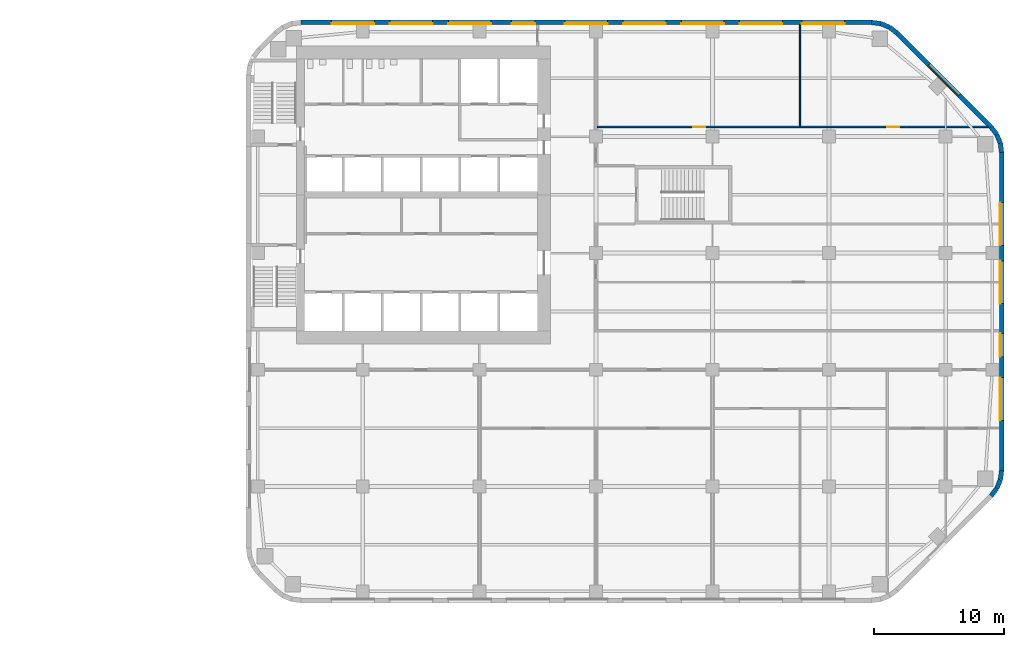
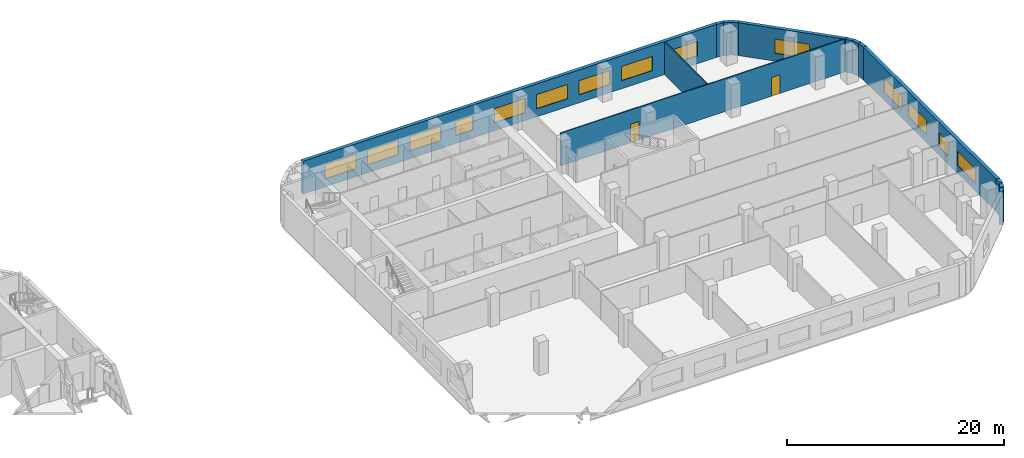
# One storey, part 12 of 16: 14 walls, 14 windows, 2 doors, 16 openings.
"""IFC4 building model written with IfcOpenShell, lengths in metres."""

from ifc_helpers import new_model, si_unit, direction, frame, frame_2d, origin, place, context, subcontext, project, spatial, rectangle, extrude, material, layer, layer_set, type_object, element, fill, save


model = new_model("IFC4")

# Units and contexts
model_context = context("Model", 3, precision=1e-05, world=origin(), true_north=direction((0.0, 1.0)))
body_context = subcontext(model_context, "Body", "Model", "MODEL_VIEW")
ifc_project = project(units=[si_unit("LENGTHUNIT", "METRE"), si_unit("AREAUNIT", "SQUARE_METRE"), si_unit("VOLUMEUNIT", "CUBIC_METRE"), si_unit("PLANEANGLEUNIT", "RADIAN"), si_unit("MASSUNIT", "GRAM", prefix="KILO")], contexts=[model_context])

# Site, building, storey
site_placement = place(None, origin())
site = spatial("IfcSite", under=ifc_project, at=site_placement, CompositionType="ELEMENT")
building_placement = place(site_placement, origin())
building = spatial("IfcBuilding", under=site, at=building_placement, Name="Cinnabar Reach Civic Tower", CompositionType="ELEMENT")
storey_placement = place(building_placement, frame((0.0, 0.0, 42.0)))
storey = spatial("IfcBuildingStorey", under=building, at=storey_placement, Name="L09", CompositionType="ELEMENT", Elevation=42.0)

# Walls
ifc_material_1 = material(Name="Facing brick with insulated backing", Category="masonry")
ifc_layer_1 = layer(ifc_material_1, 0.36)
ifc_layer_set_1 = layer_set([ifc_layer_1], Name="Brick corner wall")
wall_type_1 = type_object("IfcWallType", Name="Brick corner wall", PredefinedType="STANDARD", material=ifc_layer_set_1)
wall_1_placement = place(storey_placement, frame((57.4998, 8.2587, 0.0), z_axis=(0.0, 0.0, 1.0), x_axis=(0.608802368033, 0.793321924995, 0.0)))
element("IfcWall", 1, at=wall_1_placement, inside=storey, type_object=wall_type_1, Name="Brick corner wall", PredefinedType="STANDARD", context=body_context, shape_type="SweptSolid", body=[
    extrude(rectangle(XDim=0.7132, YDim=0.36, at=frame_2d((0.3566, 0.0))), origin(), (0.0, 0.0, 1.0), 3.7),
])
for number, where, z_axis, x_axis, name in (
    (2, (57.9452, 8.8439, 0.0), (0.0, 0.0, 1.0), (0.382702709855, 0.923871547278, 0.0), "Brick corner wall"),
    (3, (58.2239, 9.5244, 0.0), (0.0, 0.0, 1.0), (0.13055608231, 0.99144092581, 0.0), "Brick corner wall"),
    (4, (58.317, 34.7686, 0.0), (0.0, 0.0, 1.0), (-0.13055608231, 0.99144092581, 0.0), "Brick corner wall"),
    (5, (58.2181, 35.4973, 0.0), (0.0, 0.0, 1.0), (-0.382702709855, 0.923871547278, 0.0), "Brick corner wall"),
):
    element("IfcWall", number, at=place(storey_placement, frame(where, z_axis=z_axis, x_axis=x_axis)), inside=storey, type_object=wall_type_1, Name=name, PredefinedType="STANDARD", context=body_context, shape_type="SweptSolid", body=[
        extrude(rectangle(XDim=0.7131, YDim=0.36, at=frame_2d((0.3565, 0.0))), origin(), (0.0, 0.0, 1.0), 3.7),
    ])
for number, where, z_axis, x_axis, name in (
    (6, (57.934, 36.1755, 0.0), (0.0, 0.0, 1.0), (-0.608802368033, 0.793321924995, 0.0), "Brick corner wall"),
    (7, (50.2413, 43.9998, 0.0), (0.0, 0.0, 1.0), (-0.793321924995, 0.608802368033, 0.0), "Brick corner wall"),
):
    element("IfcWall", number, at=place(storey_placement, frame(where, z_axis=z_axis, x_axis=x_axis)), inside=storey, type_object=wall_type_1, Name=name, PredefinedType="STANDARD", context=body_context, shape_type="SweptSolid", body=[
        extrude(rectangle(XDim=0.7132, YDim=0.36, at=frame_2d((0.3566, 0.0))), origin(), (0.0, 0.0, 1.0), 3.7),
    ])
for number, where, z_axis, x_axis, name in (
    (8, (49.6561, 44.4452, 0.0), (0.0, 0.0, 1.0), (-0.923871547278, 0.382702709855, 0.0), "Brick corner wall"),
    (9, (48.9756, 44.7239, 0.0), (0.0, 0.0, 1.0), (-0.99144092581, 0.13055608231, 0.0), "Brick corner wall"),
):
    element("IfcWall", number, at=place(storey_placement, frame(where, z_axis=z_axis, x_axis=x_axis)), inside=storey, type_object=wall_type_1, Name=name, PredefinedType="STANDARD", context=body_context, shape_type="SweptSolid", body=[
        extrude(rectangle(XDim=0.7131, YDim=0.36, at=frame_2d((0.3565, 0.0))), origin(), (0.0, 0.0, 1.0), 3.7),
    ])

# Wall, openings, windows
ifc_layer_2 = layer(ifc_material_1, 0.36)
ifc_layer_set_2 = layer_set([ifc_layer_2], Name="Brick pier and spandrel wall")
wall_type_2 = type_object("IfcWallType", Name="Brick pier and spandrel wall", PredefinedType="STANDARD", material=ifc_layer_set_2)
wall_2_placement = place(storey_placement, frame((58.32, 10.2426, 0.0), z_axis=(0.0, 0.0, 1.0), x_axis=(0.0, 1.0, 0.0)))
wall_2 = element("IfcWall", 10, at=wall_2_placement, inside=storey, type_object=wall_type_2, Name="Brick facade wall", PredefinedType="STANDARD", context=body_context, shape_type="SweptSolid", body=[
    extrude(rectangle(XDim=24.5148, YDim=0.36, at=frame_2d((12.2574, 0.0))), origin(), (0.0, 0.0, 1.0), 3.7),
])
opening_1_placement = place(wall_2_placement, frame((3.8574, 0.0, 0.9)))
opening_1 = element("IfcOpeningElement", 11, at=opening_1_placement, cuts=wall_2, Name="Opening W1115", PredefinedType="OPENING", context=body_context, shape_type="SweptSolid", body=[
    extrude(rectangle(XDim=3.3, YDim=1.6, at=frame_2d((1.65, 0.8))), frame((0.0, 0.19, 0.0), z_axis=(0.0, -1.0, 0.0), x_axis=(1.0, 0.0, 0.0)), (0.0, 0.0, 1.0), 0.38),
])
opening_2_placement = place(wall_2_placement, frame((8.7574, 0.0, 0.9)))
opening_2 = element("IfcOpeningElement", 12, at=opening_2_placement, cuts=wall_2, Name="Opening W1116", PredefinedType="OPENING", context=body_context, shape_type="SweptSolid", body=[
    extrude(rectangle(XDim=1.8, YDim=1.6, at=frame_2d((0.9, 0.8))), frame((0.0, 0.19, 0.0), z_axis=(0.0, -1.0, 0.0), x_axis=(1.0, 0.0, 0.0)), (0.0, 0.0, 1.0), 0.38),
])
opening_3_placement = place(wall_2_placement, frame((12.8574, 0.0, 0.9)))
opening_3 = element("IfcOpeningElement", 13, at=opening_3_placement, cuts=wall_2, Name="Opening W1117", PredefinedType="OPENING", context=body_context, shape_type="SweptSolid", body=[
    extrude(rectangle(XDim=3.3, YDim=1.6, at=frame_2d((1.65, 0.8))), frame((0.0, 0.19, 0.0), z_axis=(0.0, -1.0, 0.0), x_axis=(1.0, 0.0, 0.0)), (0.0, 0.0, 1.0), 0.38),
])
opening_4_placement = place(wall_2_placement, frame((17.3574, 0.0, 0.9)))
opening_4 = element("IfcOpeningElement", 14, at=opening_4_placement, cuts=wall_2, Name="Opening W1118", PredefinedType="OPENING", context=body_context, shape_type="SweptSolid", body=[
    extrude(rectangle(XDim=3.3, YDim=1.6, at=frame_2d((1.65, 0.8))), frame((0.0, 0.19, 0.0), z_axis=(0.0, -1.0, 0.0), x_axis=(1.0, 0.0, 0.0)), (0.0, 0.0, 1.0), 0.38),
])
ifc_material_2 = material(Name="Clear double glazing in aluminium frame", Category="aluminium")
window_type_1 = type_object("IfcWindowType", Name="Deep-set window A", PartitioningType="SINGLE_PANEL", PredefinedType="WINDOW", material=ifc_material_2)
window_1_placement = place(opening_1_placement, origin())
window_1 = element("IfcWindow", 15, at=window_1_placement, inside=storey, type_object=window_type_1, Name="Window east face", OverallHeight=1.6, OverallWidth=3.3, PartitioningType="SINGLE_PANEL", PredefinedType="WINDOW", context=body_context, shape_type="SweptSolid", body=[
    extrude(rectangle(XDim=3.3, YDim=1.6, at=frame_2d((1.65, 0.8))), frame((0.0, 0.13, 0.0), z_axis=(0.0, -1.0, 0.0), x_axis=(1.0, 0.0, 0.0)), (0.0, 0.0, 1.0), 0.06),
])
fill(opening_1, window_1)
window_2_placement = place(opening_3_placement, origin())
window_2 = element("IfcWindow", 16, at=window_2_placement, inside=storey, type_object=window_type_1, Name="Window east face", OverallHeight=1.6, OverallWidth=3.3, PartitioningType="SINGLE_PANEL", PredefinedType="WINDOW", context=body_context, shape_type="SweptSolid", body=[
    extrude(rectangle(XDim=3.3, YDim=1.6, at=frame_2d((1.65, 0.8))), frame((0.0, 0.13, 0.0), z_axis=(0.0, -1.0, 0.0), x_axis=(1.0, 0.0, 0.0)), (0.0, 0.0, 1.0), 0.06),
])
fill(opening_3, window_2)
window_3_placement = place(opening_4_placement, origin())
window_3 = element("IfcWindow", 17, at=window_3_placement, inside=storey, type_object=window_type_1, Name="Window east face", OverallHeight=1.6, OverallWidth=3.3, PartitioningType="SINGLE_PANEL", PredefinedType="WINDOW", context=body_context, shape_type="SweptSolid", body=[
    extrude(rectangle(XDim=3.3, YDim=1.6, at=frame_2d((1.65, 0.8))), frame((0.0, 0.13, 0.0), z_axis=(0.0, -1.0, 0.0), x_axis=(1.0, 0.0, 0.0)), (0.0, 0.0, 1.0), 0.06),
])
fill(opening_4, window_3)
window_type_2 = type_object("IfcWindowType", Name="Deep-set window D", PartitioningType="SINGLE_PANEL", PredefinedType="WINDOW", material=ifc_material_2)
window_4_placement = place(opening_2_placement, origin())
window_4 = element("IfcWindow", 18, at=window_4_placement, inside=storey, type_object=window_type_2, Name="Window east face", OverallHeight=1.6, OverallWidth=1.8, PartitioningType="SINGLE_PANEL", PredefinedType="WINDOW", context=body_context, shape_type="SweptSolid", body=[
    extrude(rectangle(XDim=1.8, YDim=1.6, at=frame_2d((0.9, 0.8))), frame((0.0, 0.13, 0.0), z_axis=(0.0, -1.0, 0.0), x_axis=(1.0, 0.0, 0.0)), (0.0, 0.0, 1.0), 0.06),
])
fill(opening_2, window_4)

# Wall, opening, window
wall_3_placement = place(storey_placement, frame((57.494, 36.7514, 0.0), z_axis=(0.0, 0.0, 1.0), x_axis=(-0.707106781187, 0.707106781187, 0.0)))
wall_3 = element("IfcWall", 19, at=wall_3_placement, inside=storey, type_object=wall_type_2, Name="Brick facade wall", PredefinedType="STANDARD", context=body_context, shape_type="SweptSolid", body=[
    extrude(rectangle(XDim=10.2426, YDim=0.36, at=frame_2d((5.1213, 0.0))), origin(), (0.0, 0.0, 1.0), 3.7),
])
opening_5_placement = place(wall_3_placement, frame((3.4713, 0.0, 0.9)))
opening_5 = element("IfcOpeningElement", 20, at=opening_5_placement, cuts=wall_3, Name="Opening W1119", PredefinedType="OPENING", context=body_context, shape_type="SweptSolid", body=[
    extrude(rectangle(XDim=3.3, YDim=1.6, at=frame_2d((1.65, 0.8))), frame((0.0, 0.19, 0.0), z_axis=(0.0, -1.0, 0.0), x_axis=(1.0, 0.0, 0.0)), (0.0, 0.0, 1.0), 0.38),
])
window_5_placement = place(opening_5_placement, origin())
window_5 = element("IfcWindow", 21, at=window_5_placement, inside=storey, type_object=window_type_1, Name="Window northeast face", OverallHeight=1.6, OverallWidth=3.3, PartitioningType="SINGLE_PANEL", PredefinedType="WINDOW", context=body_context, shape_type="SweptSolid", body=[
    extrude(rectangle(XDim=3.3, YDim=1.6, at=frame_2d((1.65, 0.8))), frame((0.0, 0.13, 0.0), z_axis=(0.0, -1.0, 0.0), x_axis=(1.0, 0.0, 0.0)), (0.0, 0.0, 1.0), 0.06),
])
fill(opening_5, window_5)

# Wall, openings, windows
wall_4_placement = place(storey_placement, frame((48.2574, 44.82, 0.0), z_axis=(0.0, 0.0, 1.0), x_axis=(-1.0, 0.0, 0.0)))
wall_4 = element("IfcWall", 22, at=wall_4_placement, inside=storey, type_object=wall_type_2, Name="Brick facade wall", PredefinedType="STANDARD", context=body_context, shape_type="SweptSolid", body=[
    extrude(rectangle(XDim=44.0148, YDim=0.36, at=frame_2d((22.0074, 0.0))), origin(), (0.0, 0.0, 1.0), 3.7),
])
opening_6_placement = place(wall_4_placement, frame((2.0574, 0.0, 0.9)))
opening_6 = element("IfcOpeningElement", 23, at=opening_6_placement, cuts=wall_4, Name="Opening W1120", PredefinedType="OPENING", context=body_context, shape_type="SweptSolid", body=[
    extrude(rectangle(XDim=3.3, YDim=1.6, at=frame_2d((1.65, 0.8))), frame((0.0, 0.19, 0.0), z_axis=(0.0, -1.0, 0.0), x_axis=(1.0, 0.0, 0.0)), (0.0, 0.0, 1.0), 0.38),
])
opening_7_placement = place(wall_4_placement, frame((6.8574, 0.0, 0.9)))
opening_7 = element("IfcOpeningElement", 24, at=opening_7_placement, cuts=wall_4, Name="Opening W1121", PredefinedType="OPENING", context=body_context, shape_type="SweptSolid", body=[
    extrude(rectangle(XDim=3.3, YDim=1.6, at=frame_2d((1.65, 0.8))), frame((0.0, 0.19, 0.0), z_axis=(0.0, -1.0, 0.0), x_axis=(1.0, 0.0, 0.0)), (0.0, 0.0, 1.0), 0.38),
])
opening_8_placement = place(wall_4_placement, frame((11.3574, 0.0, 0.9)))
opening_8 = element("IfcOpeningElement", 25, at=opening_8_placement, cuts=wall_4, Name="Opening W1122", PredefinedType="OPENING", context=body_context, shape_type="SweptSolid", body=[
    extrude(rectangle(XDim=3.3, YDim=1.6, at=frame_2d((1.65, 0.8))), frame((0.0, 0.19, 0.0), z_axis=(0.0, -1.0, 0.0), x_axis=(1.0, 0.0, 0.0)), (0.0, 0.0, 1.0), 0.38),
])
opening_9_placement = place(wall_4_placement, frame((15.8574, 0.0, 0.9)))
opening_9 = element("IfcOpeningElement", 26, at=opening_9_placement, cuts=wall_4, Name="Opening W1123", PredefinedType="OPENING", context=body_context, shape_type="SweptSolid", body=[
    extrude(rectangle(XDim=3.3, YDim=1.6, at=frame_2d((1.65, 0.8))), frame((0.0, 0.19, 0.0), z_axis=(0.0, -1.0, 0.0), x_axis=(1.0, 0.0, 0.0)), (0.0, 0.0, 1.0), 0.38),
])
opening_10_placement = place(wall_4_placement, frame((20.3574, 0.0, 0.9)))
opening_10 = element("IfcOpeningElement", 27, at=opening_10_placement, cuts=wall_4, Name="Opening W1124", PredefinedType="OPENING", context=body_context, shape_type="SweptSolid", body=[
    extrude(rectangle(XDim=3.3, YDim=1.6, at=frame_2d((1.65, 0.8))), frame((0.0, 0.19, 0.0), z_axis=(0.0, -1.0, 0.0), x_axis=(1.0, 0.0, 0.0)), (0.0, 0.0, 1.0), 0.38),
])
opening_11_placement = place(wall_4_placement, frame((25.9574, 0.0, 0.9)))
opening_11 = element("IfcOpeningElement", 28, at=opening_11_placement, cuts=wall_4, Name="Opening W1125", PredefinedType="OPENING", context=body_context, shape_type="SweptSolid", body=[
    extrude(rectangle(XDim=1.8, YDim=1.6, at=frame_2d((0.9, 0.8))), frame((0.0, 0.19, 0.0), z_axis=(0.0, -1.0, 0.0), x_axis=(1.0, 0.0, 0.0)), (0.0, 0.0, 1.0), 0.38),
])
opening_12_placement = place(wall_4_placement, frame((29.3574, 0.0, 0.9)))
opening_12 = element("IfcOpeningElement", 29, at=opening_12_placement, cuts=wall_4, Name="Opening W1126", PredefinedType="OPENING", context=body_context, shape_type="SweptSolid", body=[
    extrude(rectangle(XDim=3.3, YDim=1.6, at=frame_2d((1.65, 0.8))), frame((0.0, 0.19, 0.0), z_axis=(0.0, -1.0, 0.0), x_axis=(1.0, 0.0, 0.0)), (0.0, 0.0, 1.0), 0.38),
])
opening_13_placement = place(wall_4_placement, frame((33.8574, 0.0, 0.9)))
opening_13 = element("IfcOpeningElement", 30, at=opening_13_placement, cuts=wall_4, Name="Opening W1127", PredefinedType="OPENING", context=body_context, shape_type="SweptSolid", body=[
    extrude(rectangle(XDim=3.3, YDim=1.6, at=frame_2d((1.65, 0.8))), frame((0.0, 0.19, 0.0), z_axis=(0.0, -1.0, 0.0), x_axis=(1.0, 0.0, 0.0)), (0.0, 0.0, 1.0), 0.38),
])
opening_14_placement = place(wall_4_placement, frame((38.3574, 0.0, 0.9)))
opening_14 = element("IfcOpeningElement", 31, at=opening_14_placement, cuts=wall_4, Name="Opening W1128", PredefinedType="OPENING", context=body_context, shape_type="SweptSolid", body=[
    extrude(rectangle(XDim=3.3, YDim=1.6, at=frame_2d((1.65, 0.8))), frame((0.0, 0.19, 0.0), z_axis=(0.0, -1.0, 0.0), x_axis=(1.0, 0.0, 0.0)), (0.0, 0.0, 1.0), 0.38),
])
window_6_placement = place(opening_6_placement, origin())
window_6 = element("IfcWindow", 32, at=window_6_placement, inside=storey, type_object=window_type_1, Name="Window north face", OverallHeight=1.6, OverallWidth=3.3, PartitioningType="SINGLE_PANEL", PredefinedType="WINDOW", context=body_context, shape_type="SweptSolid", body=[
    extrude(rectangle(XDim=3.3, YDim=1.6, at=frame_2d((1.65, 0.8))), frame((0.0, 0.13, 0.0), z_axis=(0.0, -1.0, 0.0), x_axis=(1.0, 0.0, 0.0)), (0.0, 0.0, 1.0), 0.06),
])
fill(opening_6, window_6)
window_7_placement = place(opening_7_placement, origin())
window_7 = element("IfcWindow", 33, at=window_7_placement, inside=storey, type_object=window_type_1, Name="Window north face", OverallHeight=1.6, OverallWidth=3.3, PartitioningType="SINGLE_PANEL", PredefinedType="WINDOW", context=body_context, shape_type="SweptSolid", body=[
    extrude(rectangle(XDim=3.3, YDim=1.6, at=frame_2d((1.65, 0.8))), frame((0.0, 0.13, 0.0), z_axis=(0.0, -1.0, 0.0), x_axis=(1.0, 0.0, 0.0)), (0.0, 0.0, 1.0), 0.06),
])
fill(opening_7, window_7)
window_8_placement = place(opening_8_placement, origin())
window_8 = element("IfcWindow", 34, at=window_8_placement, inside=storey, type_object=window_type_1, Name="Window north face", OverallHeight=1.6, OverallWidth=3.3, PartitioningType="SINGLE_PANEL", PredefinedType="WINDOW", context=body_context, shape_type="SweptSolid", body=[
    extrude(rectangle(XDim=3.3, YDim=1.6, at=frame_2d((1.65, 0.8))), frame((0.0, 0.13, 0.0), z_axis=(0.0, -1.0, 0.0), x_axis=(1.0, 0.0, 0.0)), (0.0, 0.0, 1.0), 0.06),
])
fill(opening_8, window_8)
window_9_placement = place(opening_9_placement, origin())
window_9 = element("IfcWindow", 35, at=window_9_placement, inside=storey, type_object=window_type_1, Name="Window north face", OverallHeight=1.6, OverallWidth=3.3, PartitioningType="SINGLE_PANEL", PredefinedType="WINDOW", context=body_context, shape_type="SweptSolid", body=[
    extrude(rectangle(XDim=3.3, YDim=1.6, at=frame_2d((1.65, 0.8))), frame((0.0, 0.13, 0.0), z_axis=(0.0, -1.0, 0.0), x_axis=(1.0, 0.0, 0.0)), (0.0, 0.0, 1.0), 0.06),
])
fill(opening_9, window_9)
window_10_placement = place(opening_10_placement, origin())
window_10 = element("IfcWindow", 36, at=window_10_placement, inside=storey, type_object=window_type_1, Name="Window north face", OverallHeight=1.6, OverallWidth=3.3, PartitioningType="SINGLE_PANEL", PredefinedType="WINDOW", context=body_context, shape_type="SweptSolid", body=[
    extrude(rectangle(XDim=3.3, YDim=1.6, at=frame_2d((1.65, 0.8))), frame((0.0, 0.13, 0.0), z_axis=(0.0, -1.0, 0.0), x_axis=(1.0, 0.0, 0.0)), (0.0, 0.0, 1.0), 0.06),
])
fill(opening_10, window_10)
window_11_placement = place(opening_12_placement, origin())
window_11 = element("IfcWindow", 37, at=window_11_placement, inside=storey, type_object=window_type_1, Name="Window north face", OverallHeight=1.6, OverallWidth=3.3, PartitioningType="SINGLE_PANEL", PredefinedType="WINDOW", context=body_context, shape_type="SweptSolid", body=[
    extrude(rectangle(XDim=3.3, YDim=1.6, at=frame_2d((1.65, 0.8))), frame((0.0, 0.13, 0.0), z_axis=(0.0, -1.0, 0.0), x_axis=(1.0, 0.0, 0.0)), (0.0, 0.0, 1.0), 0.06),
])
fill(opening_12, window_11)
window_12_placement = place(opening_13_placement, origin())
window_12 = element("IfcWindow", 38, at=window_12_placement, inside=storey, type_object=window_type_1, Name="Window north face", OverallHeight=1.6, OverallWidth=3.3, PartitioningType="SINGLE_PANEL", PredefinedType="WINDOW", context=body_context, shape_type="SweptSolid", body=[
    extrude(rectangle(XDim=3.3, YDim=1.6, at=frame_2d((1.65, 0.8))), frame((0.0, 0.13, 0.0), z_axis=(0.0, -1.0, 0.0), x_axis=(1.0, 0.0, 0.0)), (0.0, 0.0, 1.0), 0.06),
])
fill(opening_13, window_12)
window_13_placement = place(opening_14_placement, origin())
window_13 = element("IfcWindow", 39, at=window_13_placement, inside=storey, type_object=window_type_1, Name="Window north face", OverallHeight=1.6, OverallWidth=3.3, PartitioningType="SINGLE_PANEL", PredefinedType="WINDOW", context=body_context, shape_type="SweptSolid", body=[
    extrude(rectangle(XDim=3.3, YDim=1.6, at=frame_2d((1.65, 0.8))), frame((0.0, 0.13, 0.0), z_axis=(0.0, -1.0, 0.0), x_axis=(1.0, 0.0, 0.0)), (0.0, 0.0, 1.0), 0.06),
])
fill(opening_14, window_13)
window_14_placement = place(opening_11_placement, origin())
window_14 = element("IfcWindow", 40, at=window_14_placement, inside=storey, type_object=window_type_2, Name="Window north face", OverallHeight=1.6, OverallWidth=1.8, PartitioningType="SINGLE_PANEL", PredefinedType="WINDOW", context=body_context, shape_type="SweptSolid", body=[
    extrude(rectangle(XDim=1.8, YDim=1.6, at=frame_2d((0.9, 0.8))), frame((0.0, 0.13, 0.0), z_axis=(0.0, -1.0, 0.0), x_axis=(1.0, 0.0, 0.0)), (0.0, 0.0, 1.0), 0.06),
])
fill(opening_11, window_14)

# Wall, openings, doors
ifc_material_3 = material(Name="Gypsum board on steel studs", Category="steel")
ifc_layer_3 = layer(ifc_material_3, 0.1)
ifc_layer_set_3 = layer_set([ifc_layer_3], Name="Partition wall 100 T1")
wall_type_3 = type_object("IfcWallType", Name="Partition wall 100 T1", PredefinedType="PARTITIONING", material=ifc_layer_set_3)
wall_5_placement = place(storey_placement, frame((27.075, 36.75, 0.0), z_axis=(0.0, 0.0, 1.0), x_axis=(1.0, 0.0, 0.0)))
wall_5 = element("IfcWall", 41, at=wall_5_placement, inside=storey, type_object=wall_type_3, Name="Partition wall 45", PredefinedType="PARTITIONING", context=body_context, shape_type="SweptSolid", body=[
    extrude(rectangle(XDim=30.2159, YDim=0.1, at=frame_2d((15.108, 0.0))), origin(), (0.0, 0.0, 1.0), 3.7),
])
opening_15_placement = place(wall_5_placement, frame((7.45, 0.0, 0.0)))
opening_15 = element("IfcOpeningElement", 42, at=opening_15_placement, cuts=wall_5, Name="Opening D3379", PredefinedType="OPENING", context=body_context, shape_type="SweptSolid", body=[
    extrude(rectangle(XDim=0.9, YDim=2.1, at=frame_2d((0.45, 1.05))), frame((0.0, 0.06, 0.0), z_axis=(0.0, -1.0, 0.0), x_axis=(1.0, 0.0, 0.0)), (0.0, 0.0, 1.0), 0.12),
])
opening_16_placement = place(wall_5_placement, frame((22.425, 0.0, 0.0)))
opening_16 = element("IfcOpeningElement", 43, at=opening_16_placement, cuts=wall_5, Name="Opening D3380", PredefinedType="OPENING", context=body_context, shape_type="SweptSolid", body=[
    extrude(rectangle(XDim=0.9, YDim=2.1, at=frame_2d((0.45, 1.05))), frame((0.0, 0.06, 0.0), z_axis=(0.0, -1.0, 0.0), x_axis=(1.0, 0.0, 0.0)), (0.0, 0.0, 1.0), 0.12),
])
ifc_material_4 = material(Name="Timber door leaf in steel frame", Category="steel")
door_type = type_object("IfcDoorType", Name="Single swing door 900 x 2100 T1", OperationType="SINGLE_SWING_LEFT", PredefinedType="DOOR", material=ifc_material_4)
door_1_placement = place(opening_15_placement, origin())
door_1 = element("IfcDoor", 44, at=door_1_placement, inside=storey, type_object=door_type, Name="Door D3379", OperationType="SINGLE_SWING_RIGHT", OverallHeight=2.1, OverallWidth=0.9, PredefinedType="DOOR", context=body_context, shape_type="SweptSolid", body=[
    extrude(rectangle(XDim=0.9, YDim=2.1, at=frame_2d((0.45, 1.05))), frame((0.0, 0.025, 0.0), z_axis=(0.0, -1.0, 0.0), x_axis=(1.0, 0.0, 0.0)), (0.0, 0.0, 1.0), 0.05),
])
fill(opening_15, door_1)
door_2_placement = place(opening_16_placement, origin())
door_2 = element("IfcDoor", 45, at=door_2_placement, inside=storey, type_object=door_type, Name="Door D3380", OperationType="SINGLE_SWING_LEFT", OverallHeight=2.1, OverallWidth=0.9, PredefinedType="DOOR", context=body_context, shape_type="SweptSolid", body=[
    extrude(rectangle(XDim=0.9, YDim=2.1, at=frame_2d((0.45, 1.05))), frame((0.0, 0.025, 0.0), z_axis=(0.0, -1.0, 0.0), x_axis=(1.0, 0.0, 0.0)), (0.0, 0.0, 1.0), 0.05),
])
fill(opening_16, door_2)

# Wall
wall_6_placement = place(storey_placement, frame((42.75, 36.8, 0.0), z_axis=(0.0, 0.0, 1.0), x_axis=(0.0, 1.0, 0.0)))
element("IfcWall", 46, at=wall_6_placement, inside=storey, type_object=wall_type_3, Name="Partition wall 58", PredefinedType="PARTITIONING", context=body_context, shape_type="SweptSolid", body=[
    extrude(rectangle(XDim=7.84, YDim=0.1, at=frame_2d((3.92, 0.0))), origin(), (0.0, 0.0, 1.0), 3.7),
])

save(model, "model.ifc")
